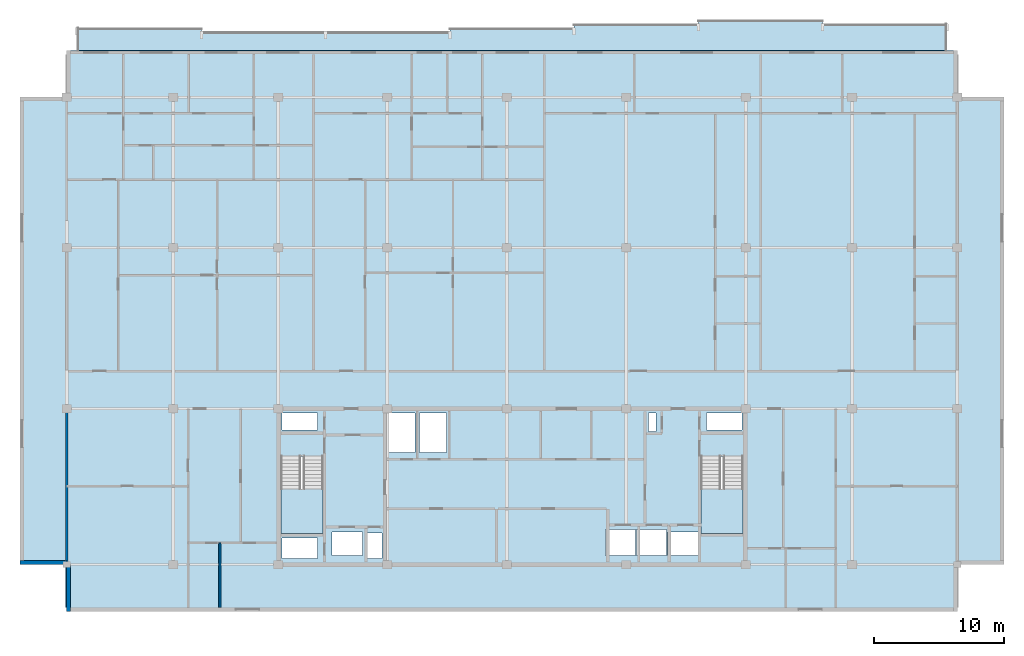
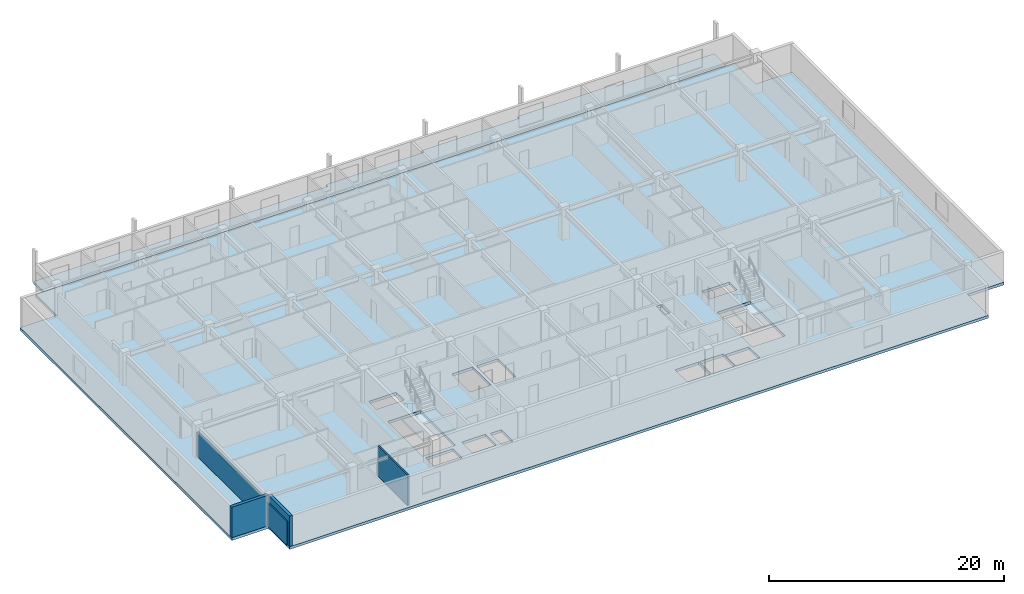
# One storey, part 2 of 11: 4 slabs, 4 walls, 2 elements without a shape of their own.
"""IFC4 building model written with IfcOpenShell, lengths in metres."""

from ifc_helpers import new_model, si_unit, direction, frame, frame_2d, origin, place, context, subcontext, project, spatial, polyline, rectangle, outline, extrude, material, layer, layer_set, type_object, element, aggregate, save


model = new_model("IFC4")

# Units and contexts
model_context = context("Model", 3, precision=1e-05, world=origin(), true_north=direction((0.0, 1.0)))
body_context = subcontext(model_context, "Body", "Model", "MODEL_VIEW")
ifc_project = project(units=[si_unit("LENGTHUNIT", "METRE"), si_unit("AREAUNIT", "SQUARE_METRE"), si_unit("VOLUMEUNIT", "CUBIC_METRE"), si_unit("PLANEANGLEUNIT", "RADIAN"), si_unit("MASSUNIT", "GRAM", prefix="KILO")], contexts=[model_context])

# Site, building, storey
site_placement = place(None, origin())
site = spatial("IfcSite", under=ifc_project, at=site_placement, CompositionType="ELEMENT")
building_placement = place(site_placement, origin())
building = spatial("IfcBuilding", under=site, at=building_placement, Name="Korimba Cascade Residences", CompositionType="ELEMENT")
storey_placement = place(building_placement, frame((0.0, 0.0, 249.35009765625)))
storey = spatial("IfcBuildingStorey", under=building, at=storey_placement, Name="L72", CompositionType="ELEMENT", Elevation=249.35009765625)

# Stair, slab
ifc_material_1 = material(Name="Concrete C50/60", Category="concrete")
stair_type_1 = type_object("IfcStairType", Name="STR-W1-20R-1725", PredefinedType="HALF_TURN_STAIR", material=ifc_material_1)
stair_1_placement = place(storey_placement, origin())
stair_1 = element("IfcStair", 1, at=stair_1_placement, inside=storey, type_object=stair_type_1, Name="L72 Tower 1 West Fire Stair ST-W1", PredefinedType="HALF_TURN_STAIR")
ifc_layer_1 = layer(ifc_material_1, 0.199951171875)
ifc_layer_set_1 = layer_set([ifc_layer_1], Name="Concrete C50/60")
slab_type_1 = type_object("IfcSlabType", Name="SLB-LND-220", PredefinedType="LANDING", material=ifc_layer_set_1)
slab_1_placement = place(storey_placement, frame((0.0, 0.0, 1.52490234375)))
slab_1 = element("IfcSlab", 2, at=slab_1_placement, type_object=slab_type_1, Name="ST-W1 landing 1", PredefinedType="LANDING", context=body_context, shape_type="SweptSolid", body=[
    extrude(outline(polyline([(76.300048828125, 61.030029296875), (76.300048828125, 57.60009765625), (79.5400390625, 57.60009765625), (79.5400390625, 61.030029296875), (76.300048828125, 61.030029296875)])), origin(), (0.0, 0.0, 1.0), 0.199951171875),
])
aggregate(stair_1, [slab_1])

stair_type_2 = type_object("IfcStairType", Name="STR-W2-20R-1725", PredefinedType="HALF_TURN_STAIR", material=ifc_material_1)
stair_2_placement = place(storey_placement, origin())
stair_2 = element("IfcStair", 3, at=stair_2_placement, inside=storey, type_object=stair_type_2, Name="L72 Tower 1 East Fire Stair ST-W2", PredefinedType="HALF_TURN_STAIR")
slab_2_placement = place(storey_placement, frame((0.0, 0.0, 1.52490234375)))
slab_2 = element("IfcSlab", 4, at=slab_2_placement, type_object=slab_type_1, Name="ST-W2 landing 1", PredefinedType="LANDING", context=body_context, shape_type="SweptSolid", body=[
    extrude(outline(polyline([(108.659912109375, 61.030029296875), (108.659912109375, 57.60009765625), (111.89990234375, 57.60009765625), (111.89990234375, 61.030029296875), (108.659912109375, 61.030029296875)])), origin(), (0.0, 0.0, 1.0), 0.199951171875),
])
aggregate(stair_2, [slab_2])

# Slabs
ifc_material_2 = material(Name="Precast concrete C40/50", Category="concrete")
ifc_layer_2 = layer(ifc_material_2, 0.239990234375)
ifc_layer_set_2 = layer_set([ifc_layer_2], Name="Precast concrete C40/50")
slab_type_2 = type_object("IfcSlabType", Name="SLB-LOG-240", PredefinedType="FLOOR", material=ifc_layer_set_2)
slab_3_placement = place(storey_placement, frame((0.0, 0.0, -0.239990234375)))
element("IfcSlab", 5, at=slab_3_placement, inside=storey, type_object=slab_type_2, Name="L72 Tower 1 North Loggia Slab", PredefinedType="FLOOR", context=body_context, shape_type="SweptSolid", body=[
    extrude(outline(polyline([(60.60009765625, 94.800048828125), (127.60009765625, 94.800048828125), (127.60009765625, 96.85009765625), (118.028564453125, 96.85009765625), (118.028564453125, 97.14990234375), (108.45703125, 97.14990234375), (108.45703125, 96.85009765625), (98.8857421875, 96.85009765625), (98.8857421875, 96.550048828125), (89.314208984375, 96.550048828125), (89.314208984375, 96.25), (70.17138671875, 96.25), (70.17138671875, 96.550048828125), (60.60009765625, 96.550048828125), (60.60009765625, 94.800048828125)])), origin(), (0.0, 0.0, 1.0), 0.239990234375),
])
ifc_layer_3 = layer(ifc_material_1, 0.280029296875)
ifc_layer_set_3 = layer_set([ifc_layer_3], Name="Concrete C50/60")
slab_type_3 = type_object("IfcSlabType", Name="SLB-TYP-280", PredefinedType="FLOOR", material=ifc_layer_set_3)
slab_4_placement = place(storey_placement, frame((0.0, 0.0, -0.280029296875)))
element("IfcSlab", 6, at=slab_4_placement, inside=storey, type_object=slab_type_3, Name="L72 Tower 1 Floor Slab", PredefinedType="FLOOR", context=body_context, shape_type="SweptSolid", body=[
    extrude(outline(polyline([(59.800048828125, 51.60009765625), (128.39990234375, 51.60009765625), (128.39990234375, 55.199951171875), (132.0, 55.199951171875), (132.0, 91.199951171875), (128.39990234375, 91.199951171875), (128.39990234375, 94.800048828125), (59.800048828125, 94.800048828125), (59.800048828125, 91.199951171875), (56.199951171875, 91.199951171875), (56.199951171875, 55.199951171875), (59.800048828125, 55.199951171875), (59.800048828125, 51.60009765625)]), holes=[polyline([(76.300048828125, 63.514892578125), (76.300048828125, 57.60009765625), (79.5400390625, 57.60009765625), (79.5400390625, 63.514892578125), (76.300048828125, 63.514892578125)]), polyline([(108.659912109375, 63.514892578125), (108.659912109375, 57.60009765625), (111.89990234375, 57.60009765625), (111.89990234375, 63.514892578125), (108.659912109375, 63.514892578125)]), polyline([(80.22998046875, 55.8798828125), (82.570068359375, 55.8798828125), (82.570068359375, 57.719970703125), (80.22998046875, 57.719970703125), (80.22998046875, 55.8798828125)]), polyline([(106.080078125, 55.8798828125), (108.419921875, 55.8798828125), (108.419921875, 57.719970703125), (106.080078125, 57.719970703125), (106.080078125, 55.8798828125)]), polyline([(101.304931640625, 55.8798828125), (103.594970703125, 55.8798828125), (103.594970703125, 57.919921875), (101.304931640625, 57.919921875), (101.304931640625, 55.8798828125)]), polyline([(103.705078125, 55.8798828125), (105.9951171875, 55.8798828125), (105.9951171875, 57.919921875), (103.705078125, 57.919921875), (103.705078125, 55.8798828125)]), polyline([(82.97998046875, 55.679931640625), (84.080078125, 55.679931640625), (84.080078125, 57.6201171875), (82.97998046875, 57.6201171875), (82.97998046875, 55.679931640625)]), polyline([(76.39990234375, 65.56005859375), (79.10009765625, 65.56005859375), (79.10009765625, 66.8798828125), (76.39990234375, 66.8798828125), (76.39990234375, 65.56005859375)]), polyline([(76.39990234375, 55.679931640625), (79.10009765625, 55.679931640625), (79.10009765625, 57.239990234375), (76.39990234375, 57.239990234375), (76.39990234375, 55.679931640625)]), polyline([(84.530029296875, 63.820068359375), (86.6201171875, 63.820068359375), (86.6201171875, 66.8798828125), (84.530029296875, 66.8798828125), (84.530029296875, 63.820068359375)]), polyline([(86.97998046875, 63.820068359375), (89.070068359375, 63.820068359375), (89.070068359375, 66.8798828125), (86.97998046875, 66.8798828125), (86.97998046875, 63.820068359375)]), polyline([(104.6201171875, 65.4599609375), (105.179931640625, 65.4599609375), (105.179931640625, 66.8798828125), (104.6201171875, 66.8798828125), (104.6201171875, 65.4599609375)]), polyline([(109.080078125, 65.56005859375), (111.800048828125, 65.56005859375), (111.800048828125, 66.8798828125), (109.080078125, 66.8798828125), (109.080078125, 65.56005859375)])]), origin(), (0.0, 0.0, 1.0), 0.280029296875),
])

# Walls
ifc_layer_4 = layer(ifc_material_2, 0.300048828125)
ifc_layer_set_4 = layer_set([ifc_layer_4], Name="Precast concrete C40/50")
wall_type_1 = type_object("IfcWallType", Name="EW-STONE-300", PredefinedType="STANDARD", material=ifc_layer_set_4)
wall_1_placement = place(storey_placement, frame((56.199951171875, 55.35009765625, 0.0), z_axis=(0.0, 0.0, 1.0), x_axis=(1.0, 0.0, 0.0)))
element("IfcWall", 7, at=wall_1_placement, inside=storey, type_object=wall_type_1, Name="L72 T1 Perimeter Stone Wall E10", PredefinedType="STANDARD", context=body_context, shape_type="SweptSolid", body=[
    extrude(rectangle(XDim=3.60009765625, YDim=0.300048828125, at=frame_2d((1.800048828125, 0.0))), origin(), (0.0, 0.0, 1.0), 3.169921875),
])
wall_2_placement = place(storey_placement, frame((59.949951171875, 55.199951171875, 0.0), z_axis=(0.0, 0.0, 1.0), x_axis=(0.0, -1.0, 0.0)))
element("IfcWall", 8, at=wall_2_placement, inside=storey, type_object=wall_type_1, Name="L72 T1 Perimeter Stone Wall E11", PredefinedType="STANDARD", context=body_context, shape_type="SweptSolid", body=[
    extrude(rectangle(XDim=3.599853515625, YDim=0.300048828125, at=frame_2d((1.7998046875, 0.0))), origin(), (0.0, 0.0, 1.0), 3.169921875),
])
ifc_layer_5 = layer(ifc_material_2, 0.199951171875)
ifc_layer_set_5 = layer_set([ifc_layer_5], Name="Precast concrete C40/50")
wall_type_2 = type_object("IfcWallType", Name="WAL-IT-200", PredefinedType="PARTITIONING", material=ifc_layer_set_5)
wall_3_placement = place(storey_placement, frame((59.800048828125, 51.89990234375, 0.0), z_axis=(0.0, 0.0, 1.0), x_axis=(0.0, 1.0, 0.0)))
element("IfcWall", 9, at=wall_3_placement, inside=storey, type_object=wall_type_2, Name="L72 Partition Wall WAL-L72-T1-FW-WL", PredefinedType="PARTITIONING", context=body_context, shape_type="SweptSolid", body=[
    extrude(rectangle(XDim=15.300048828125, YDim=0.199951171875, at=frame_2d((7.64990234375, 0.0))), origin(), (0.0, 0.0, 1.0), 2.47705078125),
])
ifc_material_3 = material(Name="Insulated Acoustic Stud Partition", Category="gypsum")
ifc_layer_6 = layer(ifc_material_3, 0.14990234375)
ifc_layer_set_6 = layer_set([ifc_layer_6], Name="Insulated Acoustic Stud Partition")
wall_type_3 = type_object("IfcWallType", Name="WAL-PART-150", PredefinedType="PARTITIONING", material=ifc_layer_set_6)
wall_4_placement = place(storey_placement, frame((71.60009765625, 51.89990234375, 0.0), z_axis=(0.0, 0.0, 1.0), x_axis=(0.0, 1.0, 0.0)))
element("IfcWall", 10, at=wall_4_placement, inside=storey, type_object=wall_type_3, Name="L72 Partition Wall WAL-L72-T1-FW-VS", PredefinedType="PARTITIONING", context=body_context, shape_type="SweptSolid", body=[
    extrude(rectangle(XDim=4.97021484375, YDim=0.14990234375, at=frame_2d((2.485107421875, 0.0))), origin(), (0.0, 0.0, 1.0), 3.169921875),
])

save(model, "model.ifc")
